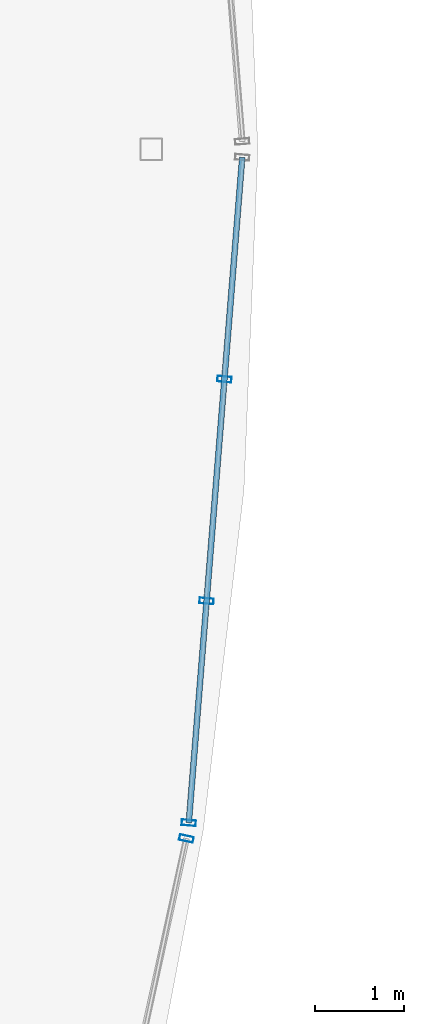
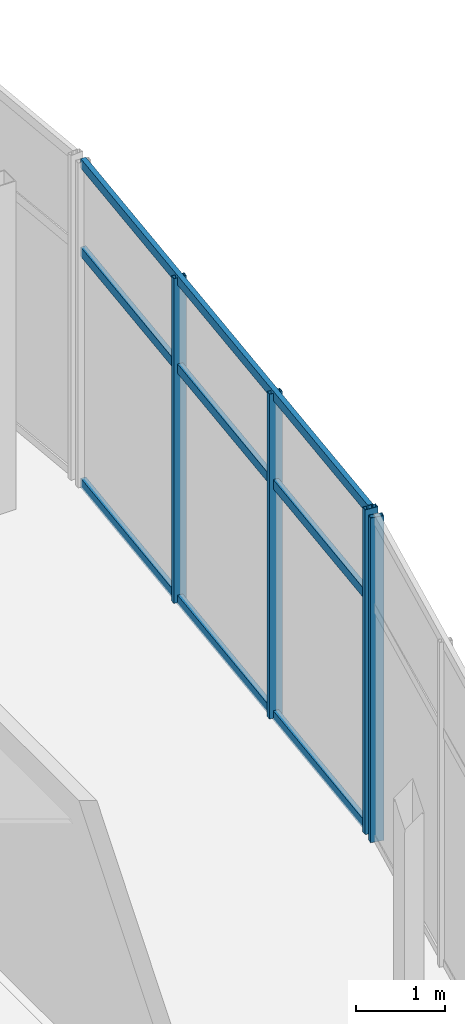
# One storey, part 65 of 114: 7 members, 2 elements without a shape of their own.
"""IFC4 building model written with IfcOpenShell, lengths in metres."""

from ifc_helpers import new_model, si_unit, direction, frame, origin, origin_2d, place, context, subcontext, project, spatial, hollow_rectangle, extrude, material, layer, layer_set, material_profile, profile_set, type_object, element, aggregate, save


model = new_model("IFC4")

# Units and contexts
model_context = context("Model", 3, precision=1e-05, world=origin(), true_north=direction((0.0, 1.0)))
body_context = subcontext(model_context, "Body", "Model", "MODEL_VIEW")
ifc_project = project(units=[si_unit("LENGTHUNIT", "METRE"), si_unit("AREAUNIT", "SQUARE_METRE"), si_unit("VOLUMEUNIT", "CUBIC_METRE"), si_unit("PLANEANGLEUNIT", "RADIAN"), si_unit("MASSUNIT", "GRAM", prefix="KILO")], contexts=[model_context])

# Site, building, storey
site_placement = place(None, origin())
site = spatial("IfcSite", under=ifc_project, at=site_placement, CompositionType="ELEMENT")
building_placement = place(site_placement, origin())
building = spatial("IfcBuilding", under=site, at=building_placement, Name="Chalmorin Arch Market", CompositionType="ELEMENT")
storey_placement = place(building_placement, frame((0.0, 0.0, 9.60009765625)))
storey = spatial("IfcBuildingStorey", under=building, at=storey_placement, Name="L02", CompositionType="ELEMENT", Elevation=9.60009765625)

# Curtain wall, member
ifc_material = material(Name="Aluminium 6063-T6", Category="aluminium")
ifc_layer_1 = layer(ifc_material, 0.159912109375)
ifc_layer_set_1 = layer_set([ifc_layer_1], Name="Aluminium 6063-T6")
curtain_wall_type_1 = type_object("IfcCurtainWallType", Name="CulinaryStudioCurtainWall-CW3-7670x4450", PredefinedType="NOTDEFINED", material=ifc_layer_set_1)
curtain_wall_1_placement = place(storey_placement, origin())
curtain_wall_1 = element("IfcCurtainWall", 1, at=curtain_wall_1_placement, inside=storey, type_object=curtain_wall_type_1, Name="CW-03-182", PredefinedType="NOTDEFINED")
ifc_material_profile_1 = material_profile(ifc_material, hollow_rectangle(XDim=0.06494140625, YDim=0.159912109375, WallThickness=0.00390625, at=origin_2d()), Name="ALU65X160X4")
ifc_profile_set_1 = profile_set([ifc_material_profile_1], Name="Aluminium 6063-T6")
member_type_1 = type_object("IfcMemberType", Name="CurtainWallMullion-65x160", PredefinedType="MULLION", material=ifc_profile_set_1)
member_1_placement = place(storey_placement, frame((119.644775390625, 87.2451171875, 0.0), z_axis=(0.0, 0.0, 1.0), x_axis=(0.207911690818, 0.978147600734, 0.0)))
member_1 = element("IfcMember", 2, at=member_1_placement, type_object=member_type_1, Name="ML-182-04", PredefinedType="MULLION", context=body_context, shape_type="SweptSolid", body=[
    extrude(hollow_rectangle(XDim=0.06494140625, YDim=0.159912109375, WallThickness=0.00390625, at=origin_2d()), origin(), (0.0, 0.0, 1.0), 4.449951171875),
])
aggregate(curtain_wall_1, [member_1])

# Curtain wall, members
ifc_layer_2 = layer(ifc_material, 0.159912109375)
ifc_layer_set_2 = layer_set([ifc_layer_2], Name="Aluminium 6063-T6")
curtain_wall_type_2 = type_object("IfcCurtainWallType", Name="CulinaryStudioCurtainWall-CW3-7510x4450", PredefinedType="NOTDEFINED", material=ifc_layer_set_2)
curtain_wall_2_placement = place(storey_placement, origin())
curtain_wall_2 = element("IfcCurtainWall", 3, at=curtain_wall_2_placement, inside=storey, type_object=curtain_wall_type_2, Name="CW-03-184", PredefinedType="NOTDEFINED")
member_2_placement = place(storey_placement, frame((119.671142578125, 87.422607421875, 0.0), z_axis=(0.0, 0.0, 1.0), x_axis=(0.087155742748, 0.996194698092, 0.0)))
member_2 = element("IfcMember", 4, at=member_2_placement, type_object=member_type_1, Name="ML-184-01", PredefinedType="MULLION", context=body_context, shape_type="SweptSolid", body=[
    extrude(hollow_rectangle(XDim=0.06494140625, YDim=0.159912109375, WallThickness=0.00390625, at=origin_2d()), origin(), (0.0, 0.0, 1.0), 4.449951171875),
])
member_3_placement = place(storey_placement, frame((119.87158203125, 89.918701171875, 0.0), z_axis=(0.0, 0.0, 1.0), x_axis=(0.087155742748, 0.996194698092, 0.0)))
member_3 = element("IfcMember", 5, at=member_3_placement, type_object=member_type_1, Name="ML-184-02", PredefinedType="MULLION", context=body_context, shape_type="SweptSolid", body=[
    extrude(hollow_rectangle(XDim=0.06494140625, YDim=0.159912109375, WallThickness=0.00390625, at=origin_2d()), origin(), (0.0, 0.0, 1.0), 4.449951171875),
])
member_4_placement = place(storey_placement, frame((120.072265625, 92.414306640625, 0.0), z_axis=(0.0, 0.0, 1.0), x_axis=(0.087155742748, 0.996194698092, 0.0)))
member_4 = element("IfcMember", 6, at=member_4_placement, type_object=member_type_1, Name="ML-184-03", PredefinedType="MULLION", context=body_context, shape_type="SweptSolid", body=[
    extrude(hollow_rectangle(XDim=0.06494140625, YDim=0.159912109375, WallThickness=0.00390625, at=origin_2d()), origin(), (0.0, 0.0, 1.0), 4.449951171875),
])
ifc_material_profile_2 = material_profile(ifc_material, hollow_rectangle(XDim=0.06494140625, YDim=0.1298828125, WallThickness=0.00390625, at=origin_2d()), Name="ALU65X130X4")
ifc_profile_set_2 = profile_set([ifc_material_profile_2], Name="Aluminium 6063-T6")
member_type_2 = type_object("IfcMemberType", Name="CurtainWallTransom-65x130", PredefinedType="USERDEFINED", material=ifc_profile_set_2)
member_5_placement = place(storey_placement, frame((119.671142578125, 87.422607421875, 0.034912109375), z_axis=(0.080081072812, 0.996788353552, 0.0), x_axis=(-0.996788353552, 0.080081072812, 0.0)))
member_5 = element("IfcMember", 7, at=member_5_placement, type_object=member_type_2, Name="TR-184-01", ObjectType="TRANSOM", PredefinedType="USERDEFINED", context=body_context, shape_type="SweptSolid", body=[
    extrude(hollow_rectangle(XDim=0.06494140625, YDim=0.1298828125, WallThickness=0.00390625, at=origin_2d()), origin(), (0.0, 0.0, 1.0), 7.511962890625),
])
member_6_placement = place(storey_placement, frame((119.671142578125, 87.422607421875, 3.203857421875), z_axis=(0.080081072812, 0.996788353552, 0.0), x_axis=(-0.996788353552, 0.080081072812, 0.0)))
member_6 = element("IfcMember", 8, at=member_6_placement, type_object=member_type_2, Name="TR-184-02", ObjectType="TRANSOM", PredefinedType="USERDEFINED", context=body_context, shape_type="SweptSolid", body=[
    extrude(hollow_rectangle(XDim=0.06494140625, YDim=0.1298828125, WallThickness=0.00390625, at=origin_2d()), origin(), (0.0, 0.0, 1.0), 7.511962890625),
])
member_7_placement = place(storey_placement, frame((119.671142578125, 87.422607421875, 4.414794921875), z_axis=(0.080081072812, 0.996788353552, 0.0), x_axis=(-0.996788353552, 0.080081072812, 0.0)))
member_7 = element("IfcMember", 9, at=member_7_placement, type_object=member_type_2, Name="TR-184-03", ObjectType="TRANSOM", PredefinedType="USERDEFINED", context=body_context, shape_type="SweptSolid", body=[
    extrude(hollow_rectangle(XDim=0.06494140625, YDim=0.1298828125, WallThickness=0.00390625, at=origin_2d()), origin(), (0.0, 0.0, 1.0), 7.511962890625),
])
aggregate(curtain_wall_2, [member_2, member_3, member_4, member_5, member_6, member_7])

save(model, "model.ifc")
